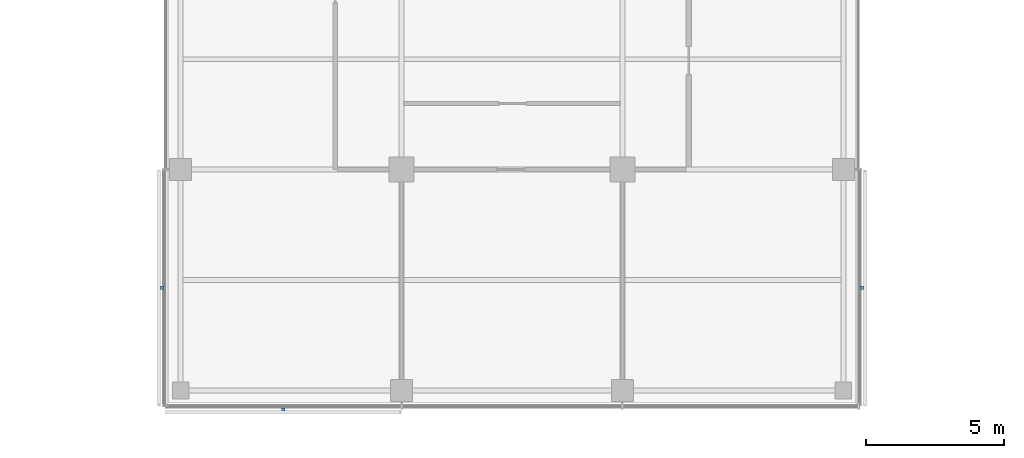
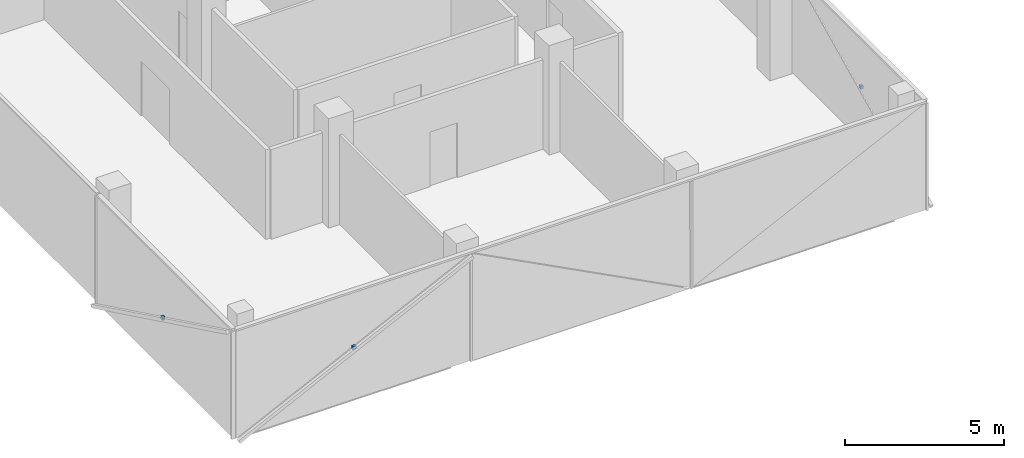
# One storey, part 13 of 15: 3 discrete accessories.
"""IFC4 building model written with IfcOpenShell, lengths in metres."""

from ifc_helpers import new_model, si_unit, direction, frame, origin, origin_2d, place, context, subcontext, project, spatial, rectangle, extrude, material, type_object, element, save


model = new_model("IFC4")

# Units and contexts
model_context = context("Model", 3, precision=1e-05, world=origin(), true_north=direction((0.0, 1.0)))
body_context = subcontext(model_context, "Body", "Model", "MODEL_VIEW")
ifc_project = project(units=[si_unit("LENGTHUNIT", "METRE"), si_unit("AREAUNIT", "SQUARE_METRE"), si_unit("VOLUMEUNIT", "CUBIC_METRE"), si_unit("PLANEANGLEUNIT", "RADIAN"), si_unit("MASSUNIT", "GRAM", prefix="KILO")], contexts=[model_context])

# Site, building, storey
site_placement = place(None, origin())
site = spatial("IfcSite", under=ifc_project, at=site_placement, CompositionType="ELEMENT")
building_placement = place(site_placement, origin())
building = spatial("IfcBuilding", under=site, at=building_placement, Name="Crosswind Convention Tower", CompositionType="ELEMENT")
storey_placement = place(building_placement, frame((0.0, 0.0, 187.300048828125)))
storey = spatial("IfcBuildingStorey", under=building, at=storey_placement, Name="L39", CompositionType="ELEMENT", Elevation=187.300048828125)

# Discrete accessories
ifc_material = material(Name="Stainless steel", Category="steel")
discrete_accessory_type = type_object("IfcDiscreteAccessoryType", Name="BAGUETTE BRACKET BK3", PredefinedType="BRACKET", material=ifc_material)
for number, where, z_axis, x_axis, name in (
    (1, (112.323974609375, 75.719970703125, 1.704833984375), (0.0, 0.0, 1.0), (0.0, -1.0, 0.0), "BK3 baguette bracket"),
    (2, (116.719970703125, 71.323974609375, 1.704833984375), (0.0, 0.0, 1.0), (1.0, 0.0, 0.0), "BK3 baguette bracket"),
    (3, (137.676025390625, 75.719970703125, 1.704833984375), (0.0, 0.0, 1.0), (0.0, 1.0, 0.0), "BK3 baguette bracket"),
):
    element("IfcDiscreteAccessory", number, at=place(storey_placement, frame(where, z_axis=z_axis, x_axis=x_axis)), inside=storey, type_object=discrete_accessory_type, Name=name, PredefinedType="BRACKET", context=body_context, shape_type="SweptSolid", body=[
        extrude(rectangle(XDim=0.1201171875, YDim=0.10009765625, at=origin_2d()), origin(), (0.0, 0.0, 1.0), 0.1201171875),
    ])

save(model, "model.ifc")
